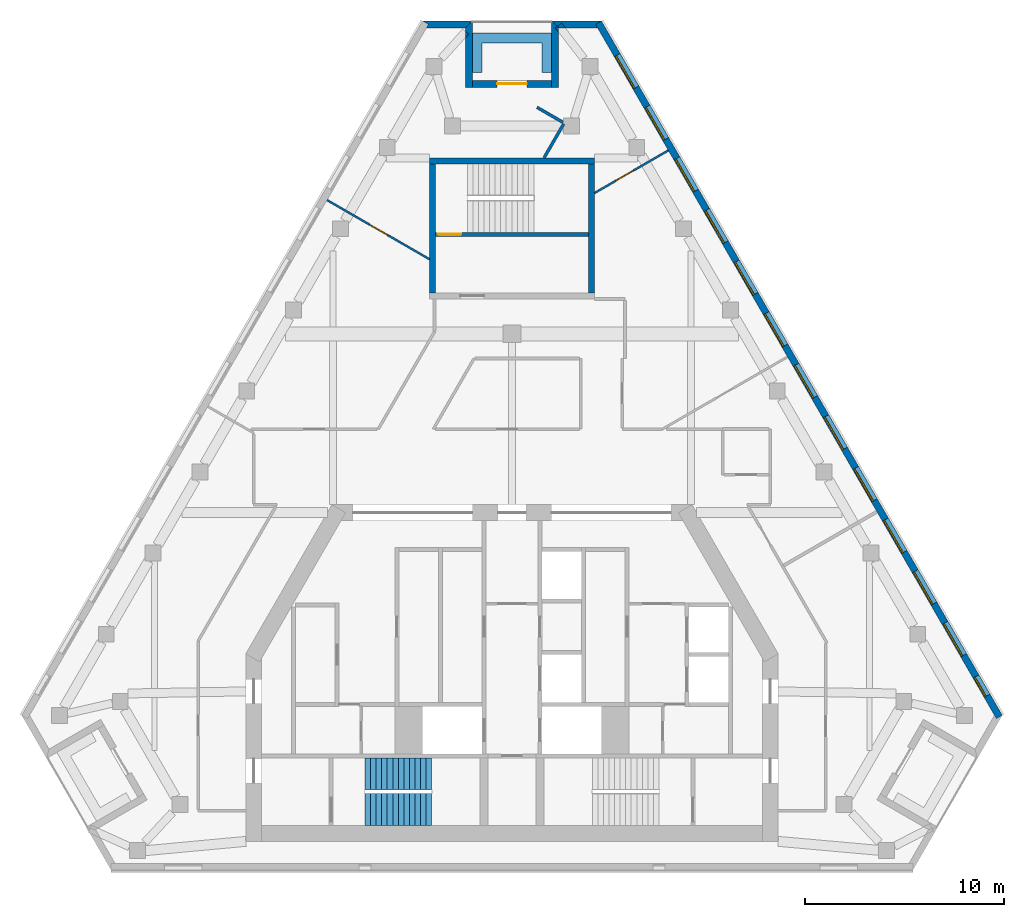
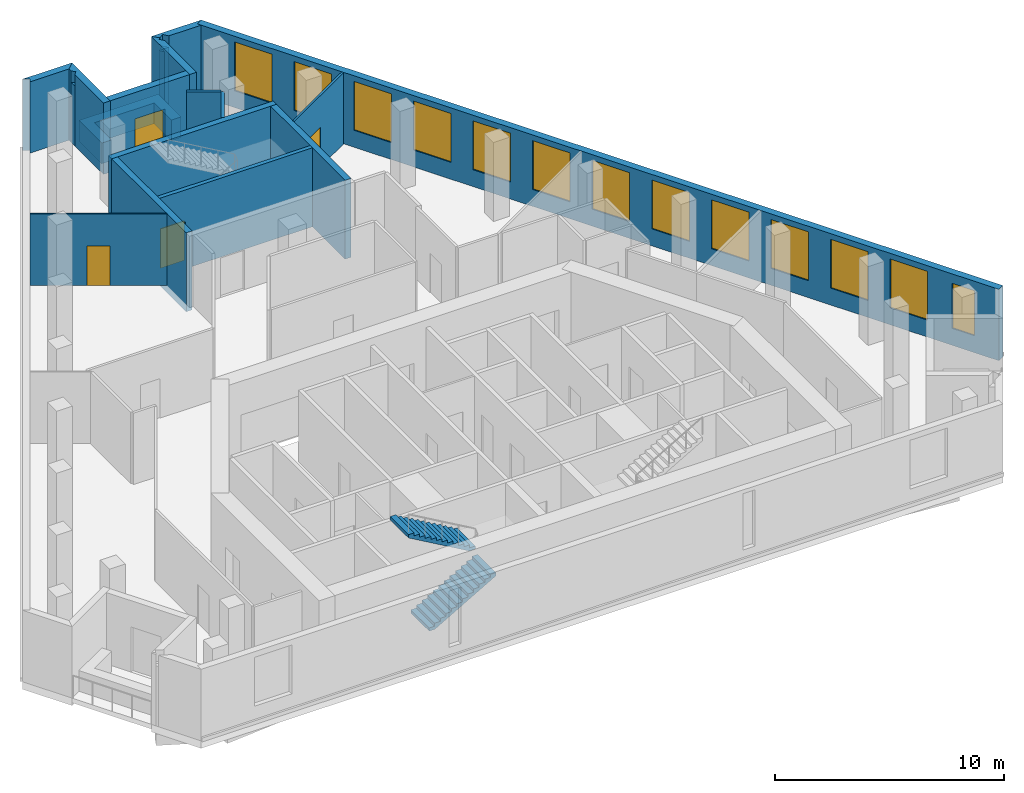
# One storey, part 6 of 8: 18 walls, 13 windows, 4 doors, 2 stair flights, 17 openings, 1 element without a shape of its own.
"""IFC4 building model written with IfcOpenShell, lengths in metres."""

from ifc_helpers import new_model, si_unit, direction, frame, frame_2d, origin, place, context, subcontext, project, spatial, polyline, rectangle, outline, extrude, material, layer, layer_set, type_object, element, fill, aggregate, save


model = new_model("IFC4")

# Units and contexts
model_context = context("Model", 3, precision=1e-05, world=origin(), true_north=direction((0.0, 1.0)))
body_context = subcontext(model_context, "Body", "Model", "MODEL_VIEW")
ifc_project = project(units=[si_unit("LENGTHUNIT", "METRE"), si_unit("AREAUNIT", "SQUARE_METRE"), si_unit("VOLUMEUNIT", "CUBIC_METRE"), si_unit("PLANEANGLEUNIT", "RADIAN"), si_unit("MASSUNIT", "GRAM", prefix="KILO")], contexts=[model_context])

# Site, building, storey
site_placement = place(None, origin())
site = spatial("IfcSite", under=ifc_project, at=site_placement, CompositionType="ELEMENT")
building_placement = place(site_placement, origin())
building = spatial("IfcBuilding", under=site, at=building_placement, Name="Fogline Exchange Tower", CompositionType="ELEMENT")
storey_placement = place(building_placement, frame((0.0, 0.0, 309.89990234375)))
storey = spatial("IfcBuildingStorey", under=building, at=storey_placement, Name="L70", CompositionType="ELEMENT", Elevation=309.89990234375)

# Wall, opening, door
ifc_material_1 = material(Name="Concrete C40", Category="concrete")
ifc_layer_1 = layer(ifc_material_1, 0.199951171875)
ifc_layer_set_1 = layer_set([ifc_layer_1], Name="CW20R")
wall_type_1 = type_object("IfcWallType", Name="CW20R", PredefinedType="SOLIDWALL", material=ifc_layer_set_1)
wall_1_placement = place(storey_placement, frame((-3.85009765625, 32.007080078125, -0.39990234375), z_axis=(0.0, 0.0, 1.0), x_axis=(1.0, 0.0, 0.0)))
wall_1 = element("IfcWall", 1, at=wall_1_placement, inside=storey, type_object=wall_type_1, Name="Stair enclosure wall ST3", PredefinedType="SOLIDWALL", context=body_context, shape_type="SweptSolid", body=[
    extrude(rectangle(XDim=7.7001953125, YDim=0.199951171875, at=frame_2d((3.85009765625, 0.0))), origin(), (0.0, 0.0, 1.0), 4.199951171875),
])
opening_1_placement = place(wall_1_placement, frame((0.10009765625, 0.0, 0.39990234375)))
opening_1 = element("IfcOpeningElement", 2, at=opening_1_placement, cuts=wall_1, Name="Opening T22-C023", PredefinedType="OPENING", context=body_context, shape_type="SweptSolid", body=[
    extrude(rectangle(XDim=1.199951171875, YDim=2.10009765625, at=frame_2d((0.60009765625, 1.050048828125))), frame((0.0, 0.10986328125, 0.0), z_axis=(0.0, -1.0, 0.0), x_axis=(1.0, 0.0, 0.0)), (0.0, 0.0, 1.0), 0.219970703125),
])
ifc_material_2 = material(Name="Steel and timber fire door", Category="steel")
door_type_1 = type_object("IfcDoorType", Name="D-ST1", OperationType="SINGLE_SWING_LEFT", PredefinedType="DOOR", material=ifc_material_2)
door_1_placement = place(opening_1_placement, origin())
door_1 = element("IfcDoor", 3, at=door_1_placement, inside=storey, type_object=door_type_1, Name="Stair door ST3", OperationType="SINGLE_SWING_LEFT", OverallHeight=2.10009765625, OverallWidth=1.199951171875, PredefinedType="DOOR", context=body_context, shape_type="SweptSolid", body=[
    extrude(rectangle(XDim=1.199951171875, YDim=2.10009765625, at=frame_2d((0.60009765625, 1.050048828125))), frame((0.0, 0.02490234375, 0.0), z_axis=(0.0, -1.0, 0.0), x_axis=(1.0, 0.0, 0.0)), (0.0, 0.0, 1.0), 0.050048828125),
])
fill(opening_1, door_1)

# Walls
ifc_layer_2 = layer(ifc_material_1, 0.300048828125)
ifc_layer_set_2 = layer_set([ifc_layer_2], Name="CW30")
wall_type_2 = type_object("IfcWallType", Name="CW30", PredefinedType="SOLIDWALL", material=ifc_layer_set_2)
wall_2_placement = place(storey_placement, frame((-4.14990234375, 35.70703125, -0.39990234375), z_axis=(0.0, 0.0, 1.0), x_axis=(1.0, 0.0, 0.0)))
element("IfcWall", 4, at=wall_2_placement, inside=storey, type_object=wall_type_2, Name="Stair enclosure wall ST3", PredefinedType="SOLIDWALL", context=body_context, shape_type="SweptSolid", body=[
    extrude(rectangle(XDim=8.2998046875, YDim=0.300048828125, at=frame_2d((4.14990234375, 0.0))), origin(), (0.0, 0.0, 1.0), 4.199951171875),
])
for number, where, z_axis, x_axis, name in (
    (5, (-4.0, 29.056884765625, -0.39990234375), (0.0, 0.0, 1.0), (0.0, 1.0, 0.0), "Stair enclosure wall ST3"),
    (6, (4.0, 29.056884765625, -0.39990234375), (0.0, 0.0, 1.0), (0.0, 1.0, 0.0), "Stair enclosure wall ST3"),
):
    element("IfcWall", number, at=place(storey_placement, frame(where, z_axis=z_axis, x_axis=x_axis)), inside=storey, type_object=wall_type_2, Name=name, PredefinedType="SOLIDWALL", context=body_context, shape_type="SweptSolid", body=[
        extrude(rectangle(XDim=6.5, YDim=0.300048828125, at=frame_2d((3.25, 0.0))), origin(), (0.0, 0.0, 1.0), 4.199951171875),
    ])

# Wall, openings, windows
ifc_material_3 = material(Name="Brick masonry", Category="masonry")
ifc_layer_3 = layer(ifc_material_3, 0.340087890625)
ifc_layer_set_3 = layer_set([ifc_layer_3], Name="FW1")
wall_type_3 = type_object("IfcWallType", Name="FW1", PredefinedType="SOLIDWALL", material=ifc_layer_set_3)
wall_3_placement = place(storey_placement, frame((24.532470703125, 7.709228515625, 0.0), z_axis=(0.0, 0.0, 1.0), x_axis=(-0.499998406252, 0.866026323933, 0.0)))
wall_3 = element("IfcWall", 7, at=wall_3_placement, inside=storey, type_object=wall_type_3, Name="Brick wall L70 E", PredefinedType="SOLIDWALL", context=body_context, shape_type="SweptSolid", body=[
    extrude(rectangle(XDim=40.359619140625, YDim=0.340087890625, at=frame_2d((20.1796875, 0.0))), origin(), (0.0, 0.0, 1.0), 3.800048828125),
])
opening_2_placement = place(wall_3_placement, frame((3.58984375, 0.0, 0.89990234375)))
opening_2 = element("IfcOpeningElement", 8, at=opening_2_placement, cuts=wall_3, Name="Opening W3", PredefinedType="OPENING", context=body_context, shape_type="SweptSolid", body=[
    extrude(rectangle(XDim=1.885009765625, YDim=2.60009765625, at=frame_2d((0.9423828125, 1.300048828125))), frame((0.0, 0.18017578125, 0.0), z_axis=(0.0, -1.0, 0.0), x_axis=(1.0, 0.0, 0.0)), (0.0, 0.0, 1.0), 0.360107421875),
])
opening_3_placement = place(wall_3_placement, frame((6.58984375, 0.0, 0.89990234375)))
opening_3 = element("IfcOpeningElement", 9, at=opening_3_placement, cuts=wall_3, Name="Opening W3", PredefinedType="OPENING", context=body_context, shape_type="SweptSolid", body=[
    extrude(rectangle(XDim=1.885009765625, YDim=2.60009765625, at=frame_2d((0.9423828125, 1.300048828125))), frame((0.0, 0.18017578125, 0.0), z_axis=(0.0, -1.0, 0.0), x_axis=(1.0, 0.0, 0.0)), (0.0, 0.0, 1.0), 0.360107421875),
])
opening_4_placement = place(wall_3_placement, frame((9.58984375, 0.0, 0.89990234375)))
opening_4 = element("IfcOpeningElement", 10, at=opening_4_placement, cuts=wall_3, Name="Opening W3", PredefinedType="OPENING", context=body_context, shape_type="SweptSolid", body=[
    extrude(rectangle(XDim=1.885009765625, YDim=2.60009765625, at=frame_2d((0.9423828125, 1.300048828125))), frame((0.0, 0.18017578125, 0.0), z_axis=(0.0, -1.0, 0.0), x_axis=(1.0, 0.0, 0.0)), (0.0, 0.0, 1.0), 0.360107421875),
])
opening_5_placement = place(wall_3_placement, frame((12.58984375, 0.0, 0.89990234375)))
opening_5 = element("IfcOpeningElement", 11, at=opening_5_placement, cuts=wall_3, Name="Opening W3", PredefinedType="OPENING", context=body_context, shape_type="SweptSolid", body=[
    extrude(rectangle(XDim=1.885009765625, YDim=2.60009765625, at=frame_2d((0.9423828125, 1.300048828125))), frame((0.0, 0.18017578125, 0.0), z_axis=(0.0, -1.0, 0.0), x_axis=(1.0, 0.0, 0.0)), (0.0, 0.0, 1.0), 0.360107421875),
])
opening_6_placement = place(wall_3_placement, frame((15.58984375, 0.0, 0.89990234375)))
opening_6 = element("IfcOpeningElement", 12, at=opening_6_placement, cuts=wall_3, Name="Opening W3", PredefinedType="OPENING", context=body_context, shape_type="SweptSolid", body=[
    extrude(rectangle(XDim=1.885009765625, YDim=2.60009765625, at=frame_2d((0.9423828125, 1.300048828125))), frame((0.0, 0.18017578125, 0.0), z_axis=(0.0, -1.0, 0.0), x_axis=(1.0, 0.0, 0.0)), (0.0, 0.0, 1.0), 0.360107421875),
])
opening_7_placement = place(wall_3_placement, frame((18.58984375, 0.0, 0.89990234375)))
opening_7 = element("IfcOpeningElement", 13, at=opening_7_placement, cuts=wall_3, Name="Opening W3", PredefinedType="OPENING", context=body_context, shape_type="SweptSolid", body=[
    extrude(rectangle(XDim=1.885009765625, YDim=2.60009765625, at=frame_2d((0.9423828125, 1.300048828125))), frame((0.0, 0.18017578125, 0.0), z_axis=(0.0, -1.0, 0.0), x_axis=(1.0, 0.0, 0.0)), (0.0, 0.0, 1.0), 0.360107421875),
])
opening_8_placement = place(wall_3_placement, frame((21.58984375, 0.0, 0.89990234375)))
opening_8 = element("IfcOpeningElement", 14, at=opening_8_placement, cuts=wall_3, Name="Opening W3", PredefinedType="OPENING", context=body_context, shape_type="SweptSolid", body=[
    extrude(rectangle(XDim=1.885009765625, YDim=2.60009765625, at=frame_2d((0.9423828125, 1.300048828125))), frame((0.0, 0.18017578125, 0.0), z_axis=(0.0, -1.0, 0.0), x_axis=(1.0, 0.0, 0.0)), (0.0, 0.0, 1.0), 0.360107421875),
])
opening_9_placement = place(wall_3_placement, frame((24.58984375, 0.0, 0.89990234375)))
opening_9 = element("IfcOpeningElement", 15, at=opening_9_placement, cuts=wall_3, Name="Opening W3", PredefinedType="OPENING", context=body_context, shape_type="SweptSolid", body=[
    extrude(rectangle(XDim=1.885009765625, YDim=2.60009765625, at=frame_2d((0.9423828125, 1.300048828125))), frame((0.0, 0.18017578125, 0.0), z_axis=(0.0, -1.0, 0.0), x_axis=(1.0, 0.0, 0.0)), (0.0, 0.0, 1.0), 0.360107421875),
])
opening_10_placement = place(wall_3_placement, frame((27.58984375, 0.0, 0.89990234375)))
opening_10 = element("IfcOpeningElement", 16, at=opening_10_placement, cuts=wall_3, Name="Opening W3", PredefinedType="OPENING", context=body_context, shape_type="SweptSolid", body=[
    extrude(rectangle(XDim=1.885009765625, YDim=2.60009765625, at=frame_2d((0.9423828125, 1.300048828125))), frame((0.0, 0.18017578125, 0.0), z_axis=(0.0, -1.0, 0.0), x_axis=(1.0, 0.0, 0.0)), (0.0, 0.0, 1.0), 0.360107421875),
])
opening_11_placement = place(wall_3_placement, frame((30.58984375, 0.0, 0.89990234375)))
opening_11 = element("IfcOpeningElement", 17, at=opening_11_placement, cuts=wall_3, Name="Opening W3", PredefinedType="OPENING", context=body_context, shape_type="SweptSolid", body=[
    extrude(rectangle(XDim=1.885009765625, YDim=2.60009765625, at=frame_2d((0.9423828125, 1.300048828125))), frame((0.0, 0.18017578125, 0.0), z_axis=(0.0, -1.0, 0.0), x_axis=(1.0, 0.0, 0.0)), (0.0, 0.0, 1.0), 0.360107421875),
])
opening_12_placement = place(wall_3_placement, frame((33.58984375, 0.0, 0.89990234375)))
opening_12 = element("IfcOpeningElement", 18, at=opening_12_placement, cuts=wall_3, Name="Opening W3", PredefinedType="OPENING", context=body_context, shape_type="SweptSolid", body=[
    extrude(rectangle(XDim=1.885009765625, YDim=2.60009765625, at=frame_2d((0.9423828125, 1.300048828125))), frame((0.0, 0.18017578125, 0.0), z_axis=(0.0, -1.0, 0.0), x_axis=(1.0, 0.0, 0.0)), (0.0, 0.0, 1.0), 0.360107421875),
])
opening_13_placement = place(wall_3_placement, frame((36.58984375, 0.0, 0.89990234375)))
opening_13 = element("IfcOpeningElement", 19, at=opening_13_placement, cuts=wall_3, Name="Opening W3", PredefinedType="OPENING", context=body_context, shape_type="SweptSolid", body=[
    extrude(rectangle(XDim=1.885009765625, YDim=2.60009765625, at=frame_2d((0.9423828125, 1.300048828125))), frame((0.0, 0.18017578125, 0.0), z_axis=(0.0, -1.0, 0.0), x_axis=(1.0, 0.0, 0.0)), (0.0, 0.0, 1.0), 0.360107421875),
])
opening_14_placement = place(wall_3_placement, frame((1.237548828125, 0.0, 0.89990234375)))
opening_14 = element("IfcOpeningElement", 20, at=opening_14_placement, cuts=wall_3, Name="Opening W4", PredefinedType="OPENING", context=body_context, shape_type="SweptSolid", body=[
    extrude(rectangle(XDim=1.114990234375, YDim=2.39990234375, at=frame_2d((0.5576171875, 1.199951171875))), frame((0.0, 0.18017578125, 0.0), z_axis=(0.0, -1.0, 0.0), x_axis=(1.0, 0.0, 0.0)), (0.0, 0.0, 1.0), 0.360107421875),
])
ifc_material_4 = material(Name="Aluminium and glass", Category="aluminium")
window_type_1 = type_object("IfcWindowType", Name="W3", PartitioningType="SINGLE_PANEL", PredefinedType="WINDOW", material=ifc_material_4)
window_1_placement = place(opening_2_placement, origin())
window_1 = element("IfcWindow", 21, at=window_1_placement, inside=storey, type_object=window_type_1, Name="W3 W3", OverallHeight=2.60009765625, OverallWidth=1.885009765625, PartitioningType="SINGLE_PANEL", PredefinedType="WINDOW", context=body_context, shape_type="SweptSolid", body=[
    extrude(rectangle(XDim=1.885009765625, YDim=2.60009765625, at=frame_2d((0.9423828125, 1.300048828125))), frame((0.0, 0.110107421875, 0.0), z_axis=(0.0, -1.0, 0.0), x_axis=(1.0, 0.0, 0.0)), (0.0, 0.0, 1.0), 0.06005859375),
])
fill(opening_2, window_1)
window_2_placement = place(opening_3_placement, origin())
window_2 = element("IfcWindow", 22, at=window_2_placement, inside=storey, type_object=window_type_1, Name="W3 W3", OverallHeight=2.60009765625, OverallWidth=1.885009765625, PartitioningType="SINGLE_PANEL", PredefinedType="WINDOW", context=body_context, shape_type="SweptSolid", body=[
    extrude(rectangle(XDim=1.885009765625, YDim=2.60009765625, at=frame_2d((0.9423828125, 1.300048828125))), frame((0.0, 0.110107421875, 0.0), z_axis=(0.0, -1.0, 0.0), x_axis=(1.0, 0.0, 0.0)), (0.0, 0.0, 1.0), 0.06005859375),
])
fill(opening_3, window_2)
window_3_placement = place(opening_4_placement, origin())
window_3 = element("IfcWindow", 23, at=window_3_placement, inside=storey, type_object=window_type_1, Name="W3 W3", OverallHeight=2.60009765625, OverallWidth=1.885009765625, PartitioningType="SINGLE_PANEL", PredefinedType="WINDOW", context=body_context, shape_type="SweptSolid", body=[
    extrude(rectangle(XDim=1.885009765625, YDim=2.60009765625, at=frame_2d((0.9423828125, 1.300048828125))), frame((0.0, 0.110107421875, 0.0), z_axis=(0.0, -1.0, 0.0), x_axis=(1.0, 0.0, 0.0)), (0.0, 0.0, 1.0), 0.06005859375),
])
fill(opening_4, window_3)
window_4_placement = place(opening_5_placement, origin())
window_4 = element("IfcWindow", 24, at=window_4_placement, inside=storey, type_object=window_type_1, Name="W3 W3", OverallHeight=2.60009765625, OverallWidth=1.885009765625, PartitioningType="SINGLE_PANEL", PredefinedType="WINDOW", context=body_context, shape_type="SweptSolid", body=[
    extrude(rectangle(XDim=1.885009765625, YDim=2.60009765625, at=frame_2d((0.9423828125, 1.300048828125))), frame((0.0, 0.110107421875, 0.0), z_axis=(0.0, -1.0, 0.0), x_axis=(1.0, 0.0, 0.0)), (0.0, 0.0, 1.0), 0.06005859375),
])
fill(opening_5, window_4)
window_5_placement = place(opening_6_placement, origin())
window_5 = element("IfcWindow", 25, at=window_5_placement, inside=storey, type_object=window_type_1, Name="W3 W3", OverallHeight=2.60009765625, OverallWidth=1.885009765625, PartitioningType="SINGLE_PANEL", PredefinedType="WINDOW", context=body_context, shape_type="SweptSolid", body=[
    extrude(rectangle(XDim=1.885009765625, YDim=2.60009765625, at=frame_2d((0.9423828125, 1.300048828125))), frame((0.0, 0.110107421875, 0.0), z_axis=(0.0, -1.0, 0.0), x_axis=(1.0, 0.0, 0.0)), (0.0, 0.0, 1.0), 0.06005859375),
])
fill(opening_6, window_5)
window_6_placement = place(opening_7_placement, origin())
window_6 = element("IfcWindow", 26, at=window_6_placement, inside=storey, type_object=window_type_1, Name="W3 W3", OverallHeight=2.60009765625, OverallWidth=1.885009765625, PartitioningType="SINGLE_PANEL", PredefinedType="WINDOW", context=body_context, shape_type="SweptSolid", body=[
    extrude(rectangle(XDim=1.885009765625, YDim=2.60009765625, at=frame_2d((0.9423828125, 1.300048828125))), frame((0.0, 0.110107421875, 0.0), z_axis=(0.0, -1.0, 0.0), x_axis=(1.0, 0.0, 0.0)), (0.0, 0.0, 1.0), 0.06005859375),
])
fill(opening_7, window_6)
window_7_placement = place(opening_8_placement, origin())
window_7 = element("IfcWindow", 27, at=window_7_placement, inside=storey, type_object=window_type_1, Name="W3 W3", OverallHeight=2.60009765625, OverallWidth=1.885009765625, PartitioningType="SINGLE_PANEL", PredefinedType="WINDOW", context=body_context, shape_type="SweptSolid", body=[
    extrude(rectangle(XDim=1.885009765625, YDim=2.60009765625, at=frame_2d((0.9423828125, 1.300048828125))), frame((0.0, 0.110107421875, 0.0), z_axis=(0.0, -1.0, 0.0), x_axis=(1.0, 0.0, 0.0)), (0.0, 0.0, 1.0), 0.06005859375),
])
fill(opening_8, window_7)
window_8_placement = place(opening_9_placement, origin())
window_8 = element("IfcWindow", 28, at=window_8_placement, inside=storey, type_object=window_type_1, Name="W3 W3", OverallHeight=2.60009765625, OverallWidth=1.885009765625, PartitioningType="SINGLE_PANEL", PredefinedType="WINDOW", context=body_context, shape_type="SweptSolid", body=[
    extrude(rectangle(XDim=1.885009765625, YDim=2.60009765625, at=frame_2d((0.9423828125, 1.300048828125))), frame((0.0, 0.110107421875, 0.0), z_axis=(0.0, -1.0, 0.0), x_axis=(1.0, 0.0, 0.0)), (0.0, 0.0, 1.0), 0.06005859375),
])
fill(opening_9, window_8)
window_9_placement = place(opening_10_placement, origin())
window_9 = element("IfcWindow", 29, at=window_9_placement, inside=storey, type_object=window_type_1, Name="W3 W3", OverallHeight=2.60009765625, OverallWidth=1.885009765625, PartitioningType="SINGLE_PANEL", PredefinedType="WINDOW", context=body_context, shape_type="SweptSolid", body=[
    extrude(rectangle(XDim=1.885009765625, YDim=2.60009765625, at=frame_2d((0.9423828125, 1.300048828125))), frame((0.0, 0.110107421875, 0.0), z_axis=(0.0, -1.0, 0.0), x_axis=(1.0, 0.0, 0.0)), (0.0, 0.0, 1.0), 0.06005859375),
])
fill(opening_10, window_9)
window_10_placement = place(opening_11_placement, origin())
window_10 = element("IfcWindow", 30, at=window_10_placement, inside=storey, type_object=window_type_1, Name="W3 W3", OverallHeight=2.60009765625, OverallWidth=1.885009765625, PartitioningType="SINGLE_PANEL", PredefinedType="WINDOW", context=body_context, shape_type="SweptSolid", body=[
    extrude(rectangle(XDim=1.885009765625, YDim=2.60009765625, at=frame_2d((0.9423828125, 1.300048828125))), frame((0.0, 0.110107421875, 0.0), z_axis=(0.0, -1.0, 0.0), x_axis=(1.0, 0.0, 0.0)), (0.0, 0.0, 1.0), 0.06005859375),
])
fill(opening_11, window_10)
window_11_placement = place(opening_12_placement, origin())
window_11 = element("IfcWindow", 31, at=window_11_placement, inside=storey, type_object=window_type_1, Name="W3 W3", OverallHeight=2.60009765625, OverallWidth=1.885009765625, PartitioningType="SINGLE_PANEL", PredefinedType="WINDOW", context=body_context, shape_type="SweptSolid", body=[
    extrude(rectangle(XDim=1.885009765625, YDim=2.60009765625, at=frame_2d((0.9423828125, 1.300048828125))), frame((0.0, 0.110107421875, 0.0), z_axis=(0.0, -1.0, 0.0), x_axis=(1.0, 0.0, 0.0)), (0.0, 0.0, 1.0), 0.06005859375),
])
fill(opening_12, window_11)
window_12_placement = place(opening_13_placement, origin())
window_12 = element("IfcWindow", 32, at=window_12_placement, inside=storey, type_object=window_type_1, Name="W3 W3", OverallHeight=2.60009765625, OverallWidth=1.885009765625, PartitioningType="SINGLE_PANEL", PredefinedType="WINDOW", context=body_context, shape_type="SweptSolid", body=[
    extrude(rectangle(XDim=1.885009765625, YDim=2.60009765625, at=frame_2d((0.9423828125, 1.300048828125))), frame((0.0, 0.110107421875, 0.0), z_axis=(0.0, -1.0, 0.0), x_axis=(1.0, 0.0, 0.0)), (0.0, 0.0, 1.0), 0.06005859375),
])
fill(opening_13, window_12)
window_type_2 = type_object("IfcWindowType", Name="W4", PartitioningType="SINGLE_PANEL", PredefinedType="WINDOW", material=ifc_material_4)
window_13_placement = place(opening_14_placement, origin())
window_13 = element("IfcWindow", 33, at=window_13_placement, inside=storey, type_object=window_type_2, Name="W4 W4", OverallHeight=2.39990234375, OverallWidth=1.114990234375, PartitioningType="SINGLE_PANEL", PredefinedType="WINDOW", context=body_context, shape_type="SweptSolid", body=[
    extrude(rectangle(XDim=1.114990234375, YDim=2.39990234375, at=frame_2d((0.5576171875, 1.199951171875))), frame((0.0, 0.110107421875, 0.0), z_axis=(0.0, -1.0, 0.0), x_axis=(1.0, 0.0, 0.0)), (0.0, 0.0, 1.0), 0.06005859375),
])
fill(opening_14, window_13)

# Walls
wall_4_placement = place(storey_placement, origin())
element("IfcWall", 34, at=wall_4_placement, inside=storey, type_object=wall_type_3, Name="Brick wall L70 N-c1", PredefinedType="SOLIDWALL", context=body_context, shape_type="SweptSolid", body=[
    extrude(outline(polyline([(2.33984375, 42.406005859375), (2.27587890625, 42.469970703125), (2.498779296875, 42.64111328125), (2.678955078125, 42.406005859375), (2.33984375, 42.406005859375)])), origin(), (0.0, 0.0, 1.0), 3.2001953125),
])
wall_5_placement = place(storey_placement, origin())
element("IfcWall", 35, at=wall_5_placement, inside=storey, type_object=wall_type_3, Name="Brick wall L70 N-c1", PredefinedType="SOLIDWALL", context=body_context, shape_type="SweptSolid", body=[
    extrude(outline(polyline([(4.5009765625, 42.747314453125), (4.501220703125, 42.74658203125), (4.206298828125, 42.576416015625), (4.3046875, 42.406005859375), (2.678955078125, 42.406005859375), (2.498779296875, 42.64111328125), (2.27587890625, 42.469970703125), (1.998779296875, 42.7470703125), (1.9990234375, 42.747314453125), (4.5009765625, 42.747314453125)])), origin(), (0.0, 0.0, 1.0), 3.800048828125),
])
wall_6_placement = place(storey_placement, origin())
element("IfcWall", 36, at=wall_6_placement, inside=storey, type_object=wall_type_3, Name="Brick wall L70 N-s1", PredefinedType="SOLIDWALL", context=body_context, shape_type="SweptSolid", body=[
    extrude(outline(polyline([(2.340576171875, 42.406982421875), (2.340576171875, 42.18994140625), (2.181396484375, 42.3974609375), (2.27685546875, 42.470703125), (2.340576171875, 42.406982421875)])), origin(), (0.0, 0.0, 1.0), 3.2001953125),
])
wall_7_placement = place(storey_placement, origin())
element("IfcWall", 37, at=wall_7_placement, inside=storey, type_object=wall_type_3, Name="Brick wall L70 N-s1", PredefinedType="SOLIDWALL", context=body_context, shape_type="SweptSolid", body=[
    extrude(outline(polyline([(1.99951171875, 39.406005859375), (1.99951171875, 42.747802734375), (1.999755859375, 42.747802734375), (2.27685546875, 42.470703125), (2.181396484375, 42.3974609375), (2.340576171875, 42.18994140625), (2.340576171875, 39.406005859375), (1.99951171875, 39.406005859375)])), origin(), (0.0, 0.0, 1.0), 3.800048828125),
])

# Wall, opening, door
wall_8_placement = place(storey_placement, frame((2.0, 39.57666015625, 0.0), z_axis=(0.0, 0.0, 1.0), x_axis=(-1.0, 0.0, 0.0)))
wall_8 = element("IfcWall", 38, at=wall_8_placement, inside=storey, type_object=wall_type_3, Name="Brick wall L70 N-bk", PredefinedType="SOLIDWALL", context=body_context, shape_type="SweptSolid", body=[
    extrude(rectangle(XDim=4.0, YDim=0.340087890625, at=frame_2d((2.0, 0.0))), origin(), (0.0, 0.0, 1.0), 3.800048828125),
])
opening_15_placement = place(wall_8_placement, frame((1.25, 0.0, 0.0)))
opening_15 = element("IfcOpeningElement", 39, at=opening_15_placement, cuts=wall_8, Name="Opening T22-E141", PredefinedType="OPENING", context=body_context, shape_type="SweptSolid", body=[
    extrude(rectangle(XDim=1.5, YDim=2.39990234375, at=frame_2d((0.75, 1.199951171875))), frame((0.0, 0.18017578125, 0.0), z_axis=(0.0, -1.0, 0.0), x_axis=(1.0, 0.0, 0.0)), (0.0, 0.0, 1.0), 0.360107421875),
])
door_type_2 = type_object("IfcDoorType", Name="ED4", OperationType="SINGLE_SWING_LEFT", PredefinedType="DOOR", material=ifc_material_4)
door_2_placement = place(opening_15_placement, frame((1.5, 0.0, 0.0), z_axis=(0.0, 0.0, 1.0), x_axis=(-1.0, 0.0, 0.0)))
door_2 = element("IfcDoor", 40, at=door_2_placement, inside=storey, type_object=door_type_2, Name="Balcony door L70 N", OperationType="DOUBLE_DOOR_SINGLE_SWING", OverallHeight=2.39990234375, OverallWidth=1.5, PredefinedType="DOOR", context=body_context, shape_type="SweptSolid", body=[
    extrude(rectangle(XDim=1.5, YDim=2.39990234375, at=frame_2d((0.75, 1.199951171875))), frame((0.0, 0.02490234375, 0.0), z_axis=(0.0, -1.0, 0.0), x_axis=(1.0, 0.0, 0.0)), (0.0, 0.0, 1.0), 0.050048828125),
])
fill(opening_15, door_2)

# Walls
wall_9_placement = place(storey_placement, origin())
element("IfcWall", 41, at=wall_9_placement, inside=storey, type_object=wall_type_3, Name="Brick wall L70 N-s2", PredefinedType="SOLIDWALL", context=body_context, shape_type="SweptSolid", body=[
    extrude(outline(polyline([(-2.340576171875, 42.2197265625), (-2.186767578125, 42.08056640625), (-2.340576171875, 41.91015625), (-2.340576171875, 42.2197265625)])), origin(), (0.0, 0.0, 1.0), 3.2001953125),
])
wall_10_placement = place(storey_placement, origin())
element("IfcWall", 42, at=wall_10_placement, inside=storey, type_object=wall_type_3, Name="Brick wall L70 N-s2", PredefinedType="SOLIDWALL", context=body_context, shape_type="SweptSolid", body=[
    extrude(outline(polyline([(-1.99951171875, 39.406005859375), (-2.340576171875, 39.406005859375), (-2.340576171875, 41.91015625), (-2.186767578125, 42.08056640625), (-2.340576171875, 42.2197265625), (-2.340576171875, 42.406982421875), (-1.999755859375, 42.747802734375), (-1.99951171875, 42.747802734375), (-1.99951171875, 39.406005859375)])), origin(), (0.0, 0.0, 1.0), 3.800048828125),
])
wall_11_placement = place(storey_placement, origin())
element("IfcWall", 43, at=wall_11_placement, inside=storey, type_object=wall_type_3, Name="Brick wall L70 N-c2", PredefinedType="SOLIDWALL", context=body_context, shape_type="SweptSolid", body=[
    extrude(outline(polyline([(-4.3046875, 42.406005859375), (-4.206298828125, 42.576416015625), (-4.501220703125, 42.74658203125), (-4.5009765625, 42.747314453125), (-1.9990234375, 42.747314453125), (-1.998779296875, 42.7470703125), (-2.33984375, 42.406005859375), (-4.3046875, 42.406005859375)])), origin(), (0.0, 0.0, 1.0), 3.800048828125),
])
ifc_material_5 = material(Name="Concrete C30", Category="concrete")
ifc_layer_4 = layer(ifc_material_5, 0.199951171875)
ifc_layer_set_4 = layer_set([ifc_layer_4], Name="PL1")
wall_type_4 = type_object("IfcWallType", Name="PL1", PredefinedType="USERDEFINED", material=ifc_layer_set_4)
wall_12_placement = place(storey_placement, origin())
element("IfcWall", 44, at=wall_12_placement, inside=storey, type_object=wall_type_4, Name="PLANTER balcony L70 N", ObjectType="PLANTER", PredefinedType="USERDEFINED", context=body_context, shape_type="SweptSolid", body=[
    extrude(outline(polyline([(-1.5, 42.146728515625), (-2.0, 42.146728515625), (-2.0, 41.646728515625), (-2.0, 40.146728515625), (-1.5, 40.146728515625), (-1.5, 41.646728515625), (1.5, 41.646728515625), (1.5, 40.146728515625), (2.0, 40.146728515625), (2.0, 41.646728515625), (2.0, 42.146728515625), (1.5, 42.146728515625), (-1.5, 42.146728515625)])), origin(), (0.0, 0.0, 1.0), 1.10009765625),
])

# Wall, opening, door
ifc_material_6 = material(Name="Plasterboard partition, 2 layers each side on steel studs", Category="steel")
ifc_layer_5 = layer(ifc_material_6, 0.10009765625)
ifc_layer_set_5 = layer_set([ifc_layer_5], Name="PW1")
wall_type_5 = type_object("IfcWallType", Name="PW1", PredefinedType="PARTITIONING", material=ifc_layer_set_5)
wall_13_placement = place(storey_placement, frame((4.14990234375, 34.083984375, 0.0), z_axis=(0.0, 0.0, 1.0), x_axis=(0.866034117822, 0.499984906541, 0.0)))
wall_13 = element("IfcWall", 45, at=wall_13_placement, inside=storey, type_object=wall_type_5, Name="wall-L70-W030", PredefinedType="PARTITIONING", context=body_context, shape_type="SweptSolid", body=[
    extrude(rectangle(XDim=4.294677734375, YDim=0.10009765625, at=frame_2d((2.1474609375, 0.0))), origin(), (0.0, 0.0, 1.0), 3.800048828125),
])
opening_16_placement = place(wall_13_placement, frame((1.26611328125, 0.0, 0.0)))
opening_16 = element("IfcOpeningElement", 46, at=opening_16_placement, cuts=wall_13, Name="Opening T22-D009", PredefinedType="OPENING", context=body_context, shape_type="SweptSolid", body=[
    extrude(rectangle(XDim=1.0, YDim=2.10009765625, at=frame_2d((0.5, 1.050048828125))), frame((0.0, 0.06005859375, 0.0), z_axis=(0.0, -1.0, 0.0), x_axis=(1.0, 0.0, 0.0)), (0.0, 0.0, 1.0), 0.1201171875),
])
ifc_material_7 = material(Name="Timber door leaf with steel frame", Category="steel")
door_type_3 = type_object("IfcDoorType", Name="D1", OperationType="SINGLE_SWING_LEFT", PredefinedType="DOOR", material=ifc_material_7)
door_3_placement = place(opening_16_placement, origin())
door_3 = element("IfcDoor", 47, at=door_3_placement, inside=storey, type_object=door_type_3, Name="door-L70-D009", OperationType="SINGLE_SWING_LEFT", OverallHeight=2.10009765625, OverallWidth=1.0, PredefinedType="DOOR", context=body_context, shape_type="SweptSolid", body=[
    extrude(rectangle(XDim=1.0, YDim=2.10009765625, at=frame_2d((0.5, 1.050048828125))), frame((0.0, 0.02490234375, 0.0), z_axis=(0.0, -1.0, 0.0), x_axis=(1.0, 0.0, 0.0)), (0.0, 0.0, 1.0), 0.050048828125),
])
fill(opening_16, door_3)

wall_14_placement = place(storey_placement, frame((-4.14990234375, 30.752685546875, 0.0), z_axis=(0.0, 0.0, 1.0), x_axis=(-0.866031423615, 0.499989573202, 0.0)))
wall_14 = element("IfcWall", 48, at=wall_14_placement, inside=storey, type_object=wall_type_5, Name="wall-L70-W033", PredefinedType="PARTITIONING", context=body_context, shape_type="SweptSolid", body=[
    extrude(rectangle(XDim=5.960205078125, YDim=0.10009765625, at=frame_2d((2.97998046875, 0.0))), origin(), (0.0, 0.0, 1.0), 3.800048828125),
])
opening_17_placement = place(wall_14_placement, frame((2.47998046875, 0.0, 0.0)))
opening_17 = element("IfcOpeningElement", 49, at=opening_17_placement, cuts=wall_14, Name="Opening T22-D010", PredefinedType="OPENING", context=body_context, shape_type="SweptSolid", body=[
    extrude(rectangle(XDim=1.0, YDim=2.10009765625, at=frame_2d((0.5, 1.050048828125))), frame((0.0, 0.06005859375, 0.0), z_axis=(0.0, -1.0, 0.0), x_axis=(1.0, 0.0, 0.0)), (0.0, 0.0, 1.0), 0.1201171875),
])
door_4_placement = place(opening_17_placement, frame((1.0, 0.0, 0.0), z_axis=(0.0, 0.0, 1.0), x_axis=(-1.0, 0.0, 0.0)))
door_4 = element("IfcDoor", 50, at=door_4_placement, inside=storey, type_object=door_type_3, Name="door-L70-D010", OperationType="SINGLE_SWING_RIGHT", OverallHeight=2.10009765625, OverallWidth=1.0, PredefinedType="DOOR", context=body_context, shape_type="SweptSolid", body=[
    extrude(rectangle(XDim=1.0, YDim=2.10009765625, at=frame_2d((0.5, 1.050048828125))), frame((0.0, 0.02490234375, 0.0), z_axis=(0.0, -1.0, 0.0), x_axis=(1.0, 0.0, 0.0)), (0.0, 0.0, 1.0), 0.050048828125),
])
fill(opening_17, door_4)

# Walls
ifc_material_8 = material(Name="Plasterboard demising partition with mineral wool and acoustic board")
ifc_layer_6 = layer(ifc_material_8, 0.14990234375)
ifc_layer_set_6 = layer_set([ifc_layer_6], Name="PW3")
wall_type_6 = type_object("IfcWallType", Name="PW3", PredefinedType="PARTITIONING", material=ifc_layer_set_6)
wall_15_placement = place(storey_placement, frame((1.6142578125, 35.85693359375, 0.0), z_axis=(0.0, 0.0, 1.0), x_axis=(0.500054756813, 0.865993787616, 0.0)))
element("IfcWall", 51, at=wall_15_placement, inside=storey, type_object=wall_type_6, Name="wall-L70-W031", PredefinedType="PARTITIONING", context=body_context, shape_type="SweptSolid", body=[
    extrude(rectangle(XDim=1.971435546875, YDim=0.14990234375, at=frame_2d((0.98583984375, 0.0))), origin(), (0.0, 0.0, 1.0), 3.800048828125),
])
wall_16_placement = place(storey_placement, frame((2.5615234375, 37.64794921875, 0.0), z_axis=(0.0, 0.0, 1.0), x_axis=(-0.866012220445, 0.500022833518, 0.0)))
element("IfcWall", 52, at=wall_16_placement, inside=storey, type_object=wall_type_6, Name="wall-L70-W032", PredefinedType="PARTITIONING", context=body_context, shape_type="SweptSolid", body=[
    extrude(rectangle(XDim=1.5009765625, YDim=0.14990234375, at=frame_2d((0.75048828125, 0.0))), origin(), (0.0, 0.0, 1.0), 3.800048828125),
])

# Stair, stair flights
stair_type = type_object("IfcStairType", Name="STR26-1615", PredefinedType="HALF_TURN_STAIR", material=ifc_material_1)
stair_placement = place(storey_placement, origin())
stair = element("IfcStair", 53, at=stair_placement, inside=storey, type_object=stair_type, Name="Stair ST1", PredefinedType="HALF_TURN_STAIR")
stair_flight_type = type_object("IfcStairFlightType", Name="SF13-1615", PredefinedType="STRAIGHT", material=ifc_material_1)
stair_flight_1_placement = place(storey_placement, frame((-7.39990234375, 3.050048828125, 0.0), z_axis=(0.0, 0.0, 1.0), x_axis=(1.0, 0.0, 0.0)))
stair_flight_1 = element("IfcStairFlight", 54, at=stair_flight_1_placement, type_object=stair_flight_type, Name="ST1 flight 1", NumberOfRisers=13, NumberOfTreads=12, PredefinedType="STRAIGHT", RiserHeight=0.161538462, TreadLength=0.28, context=body_context, shape_type="SweptSolid", body=[
    extrude(outline(polyline([(0.0, 0.0), (0.0, 0.16162109375), (0.280029296875, 0.16162109375), (0.280029296875, 0.322998046875), (0.56005859375, 0.322998046875), (0.56005859375, 0.484619140625), (0.840087890625, 0.484619140625), (0.840087890625, 0.646240234375), (1.1201171875, 0.646240234375), (1.1201171875, 0.8076171875), (1.39990234375, 0.8076171875), (1.39990234375, 0.96923828125), (1.679931640625, 0.96923828125), (1.679931640625, 1.130859375), (1.9599609375, 1.130859375), (1.9599609375, 1.292236328125), (2.239990234375, 1.292236328125), (2.239990234375, 1.453857421875), (2.52001953125, 1.453857421875), (2.52001953125, 1.615478515625), (2.800048828125, 1.615478515625), (2.800048828125, 1.77685546875), (3.080078125, 1.77685546875), (3.080078125, 1.9384765625), (3.360107421875, 1.9384765625), (3.360107421875, 2.10009765625), (3.360107421875, 1.765380859375), (0.300048828125, 0.0), (0.0, 0.0)])), frame((0.0, 0.800048828125, 0.0), z_axis=(0.0, -1.0, 0.0), x_axis=(1.0, 0.0, 0.0)), (0.0, 0.0, 1.0), 1.60009765625),
])
stair_flight_2_placement = place(storey_placement, frame((-4.0400390625, 4.85009765625, 2.10009765625), z_axis=(0.0, 0.0, 1.0), x_axis=(-1.0, 0.0, 0.0)))
stair_flight_2 = element("IfcStairFlight", 55, at=stair_flight_2_placement, type_object=stair_flight_type, Name="ST1 flight 2", NumberOfRisers=13, NumberOfTreads=12, PredefinedType="STRAIGHT", RiserHeight=0.161538462, TreadLength=0.28, context=body_context, shape_type="SweptSolid", body=[
    extrude(outline(polyline([(0.0, 0.0), (0.0, 0.16162109375), (0.280029296875, 0.16162109375), (0.280029296875, 0.322998046875), (0.56005859375, 0.322998046875), (0.56005859375, 0.484619140625), (0.840087890625, 0.484619140625), (0.840087890625, 0.646240234375), (1.1201171875, 0.646240234375), (1.1201171875, 0.8076171875), (1.39990234375, 0.8076171875), (1.39990234375, 0.96923828125), (1.679931640625, 0.96923828125), (1.679931640625, 1.130859375), (1.9599609375, 1.130859375), (1.9599609375, 1.292236328125), (2.239990234375, 1.292236328125), (2.239990234375, 1.453857421875), (2.52001953125, 1.453857421875), (2.52001953125, 1.615478515625), (2.800048828125, 1.615478515625), (2.800048828125, 1.77685546875), (3.080078125, 1.77685546875), (3.080078125, 1.9384765625), (3.360107421875, 1.9384765625), (3.360107421875, 2.10009765625), (3.360107421875, 1.765380859375), (0.300048828125, 0.0), (0.0, 0.0)])), frame((0.0, 0.800048828125, 0.0), z_axis=(0.0, -1.0, 0.0), x_axis=(1.0, 0.0, 0.0)), (0.0, 0.0, 1.0), 1.60009765625),
])
aggregate(stair, [stair_flight_1, stair_flight_2])

save(model, "model.ifc")
